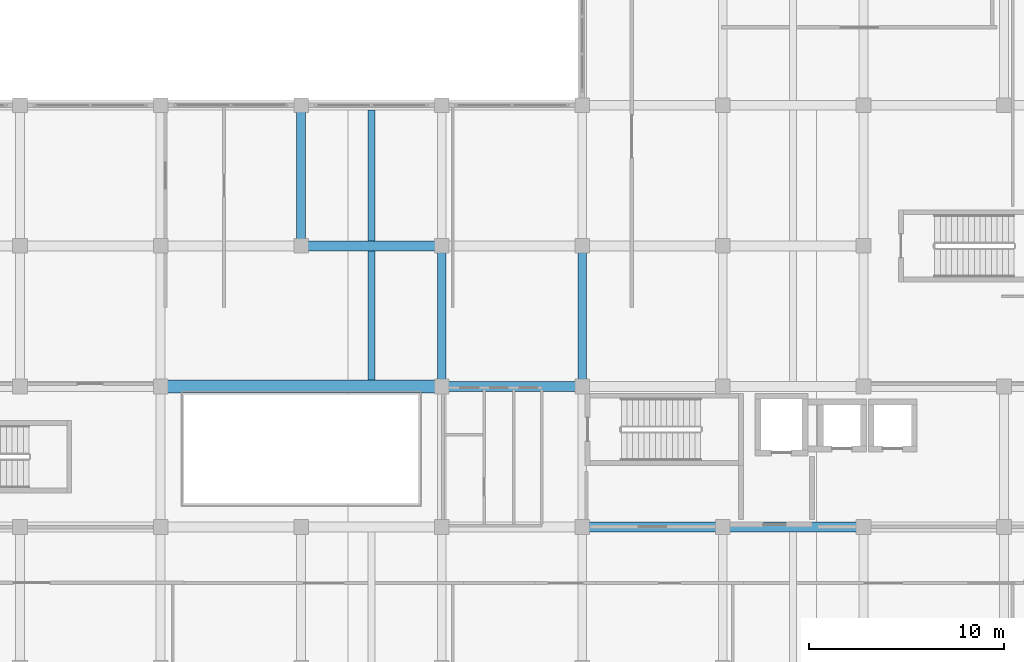
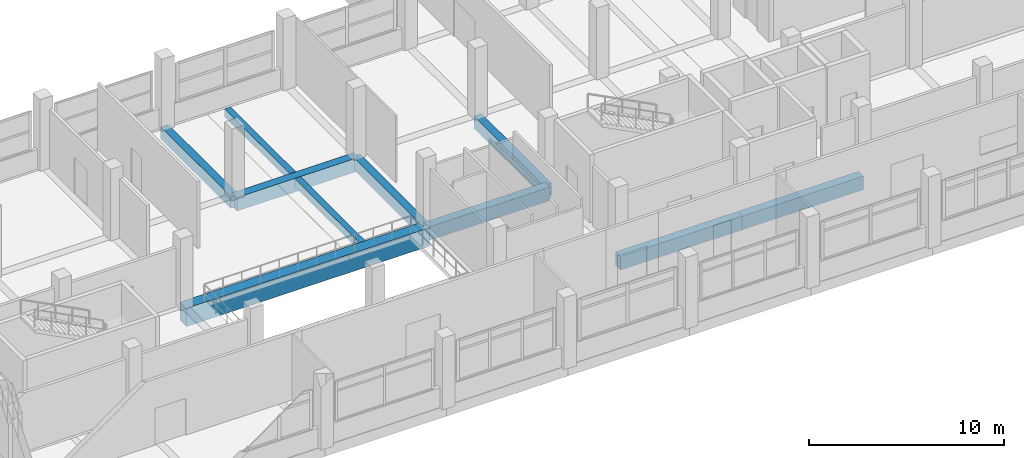
# One storey, part 30 of 141: 10 beams.
"""IFC4 building model written with IfcOpenShell, lengths in metres."""

from ifc_helpers import new_model, si_unit, direction, frame, origin, origin_2d, place, context, subcontext, project, spatial, rectangle, extrude, material, material_profile, profile_set, type_object, element, save


model = new_model("IFC4")

# Units and contexts
model_context = context("Model", 3, precision=1e-05, world=origin(), true_north=direction((0.0, 1.0)))
body_context = subcontext(model_context, "Body", "Model", "MODEL_VIEW")
ifc_project = project(units=[si_unit("LENGTHUNIT", "METRE"), si_unit("AREAUNIT", "SQUARE_METRE"), si_unit("VOLUMEUNIT", "CUBIC_METRE"), si_unit("PLANEANGLEUNIT", "RADIAN"), si_unit("MASSUNIT", "GRAM", prefix="KILO")], contexts=[model_context])

# Site, building, storey
site_placement = place(None, origin())
site = spatial("IfcSite", under=ifc_project, at=site_placement, CompositionType="ELEMENT")
building_placement = place(site_placement, origin())
building = spatial("IfcBuilding", under=site, at=building_placement, Name="Seraya Terrace Polytechnic", CompositionType="ELEMENT")
storey_placement = place(building_placement, frame((0.0, 0.0, 14.39990234375)))
storey = spatial("IfcBuildingStorey", under=building, at=storey_placement, Name="L03", CompositionType="ELEMENT", Elevation=14.39990234375)

# Beams
ifc_material = material(Name="Concrete C40/50", Category="concrete")
ifc_material_profile_1 = material_profile(ifc_material, rectangle(XDim=0.64990234375, YDim=1.14990234375, at=origin_2d()), Name="RC 650x1150")
ifc_profile_set_1 = profile_set([ifc_material_profile_1], Name="Concrete C40/50")
beam_type_1 = type_object("IfcBeamType", Name="BG-02", PredefinedType="USERDEFINED", material=ifc_profile_set_1)
beam_1_placement = place(storey_placement, frame((57.60009765625, 14.39990234375, -0.574951171875), z_axis=(1.0, 0.0, 0.0), x_axis=(0.0, 1.0, 0.0)))
element("IfcBeam", 1, at=beam_1_placement, inside=storey, type_object=beam_type_1, Name="Beam BG-02 L03 X (57.6..72.0, 14.4)", ObjectType="GIRDER", PredefinedType="USERDEFINED", context=body_context, shape_type="SweptSolid", body=[
    extrude(rectangle(XDim=0.64990234375, YDim=1.14990234375, at=origin_2d()), origin(), (0.0, 0.0, 1.0), 14.39990234375),
])
ifc_material_profile_2 = material_profile(ifc_material, rectangle(XDim=0.5, YDim=0.85009765625, at=origin_2d()), Name="RC 500x850")
ifc_profile_set_2 = profile_set([ifc_material_profile_2], Name="Concrete C40/50")
beam_type_2 = type_object("IfcBeamType", Name="BM-05", PredefinedType="BEAM", material=ifc_profile_set_2)
beam_2_placement = place(storey_placement, frame((79.199951171875, 7.199951171875, -0.4248046875), z_axis=(1.0, 0.0, 0.0), x_axis=(0.0, 1.0, 0.0)))
element("IfcBeam", 2, at=beam_2_placement, inside=storey, type_object=beam_type_2, Name="Beam BM-05 L03 X (79.2..86.4, 7.2)", PredefinedType="BEAM", context=body_context, shape_type="SweptSolid", body=[
    extrude(rectangle(XDim=0.5, YDim=0.85009765625, at=origin_2d()), origin(), (0.0, 0.0, 1.0), 7.199951171875),
])
beam_3_placement = place(storey_placement, frame((86.39990234375, 7.199951171875, -0.4248046875), z_axis=(1.0, 0.0, 0.0), x_axis=(0.0, 1.0, 0.0)))
element("IfcBeam", 3, at=beam_3_placement, inside=storey, type_object=beam_type_2, Name="Beam BM-05 L03 X (86.4..93.6, 7.2)", PredefinedType="BEAM", context=body_context, shape_type="SweptSolid", body=[
    extrude(rectangle(XDim=0.5, YDim=0.85009765625, at=origin_2d()), origin(), (0.0, 0.0, 1.0), 7.2001953125),
])
for number, where, z_axis, x_axis, name in (
    (4, (72.0, 14.39990234375, -0.4248046875), (1.0, 0.0, 0.0), (0.0, 1.0, 0.0), "Beam BM-05 L03 X (72.0..79.2, 14.4)"),
    (5, (64.800048828125, 21.60009765625, -0.4248046875), (1.0, 0.0, 0.0), (0.0, 1.0, 0.0), "Beam BM-05 L03 X (64.8..72.0, 21.6)"),
):
    element("IfcBeam", number, at=place(storey_placement, frame(where, z_axis=z_axis, x_axis=x_axis)), inside=storey, type_object=beam_type_2, Name=name, PredefinedType="BEAM", context=body_context, shape_type="SweptSolid", body=[
        extrude(rectangle(XDim=0.5, YDim=0.85009765625, at=origin_2d()), origin(), (0.0, 0.0, 1.0), 7.199951171875),
    ])
ifc_material_profile_3 = material_profile(ifc_material, rectangle(XDim=0.449951171875, YDim=0.75, at=origin_2d()), Name="RC 450x750")
ifc_profile_set_3 = profile_set([ifc_material_profile_3], Name="Concrete C40/50")
beam_type_3 = type_object("IfcBeamType", Name="BM-08", PredefinedType="BEAM", material=ifc_profile_set_3)
beam_4_placement = place(storey_placement, frame((64.800048828125, 21.60009765625, -0.375), z_axis=(0.0, 1.0, 0.0), x_axis=(-1.0, 0.0, 0.0)))
element("IfcBeam", 6, at=beam_4_placement, inside=storey, type_object=beam_type_3, Name="Beam BM-08 L03 Y (64.8, 21.6..28.8)", PredefinedType="BEAM", context=body_context, shape_type="SweptSolid", body=[
    extrude(rectangle(XDim=0.449951171875, YDim=0.75, at=origin_2d()), origin(), (0.0, 0.0, 1.0), 7.199951171875),
])
for number, where, z_axis, x_axis, name in (
    (7, (72.0, 14.39990234375, -0.375), (0.0, 1.0, 0.0), (-1.0, 0.0, 0.0), "Beam BM-08 L03 Y (72.0, 14.4..21.6)"),
    (8, (79.199951171875, 14.39990234375, -0.375), (0.0, 1.0, 0.0), (-1.0, 0.0, 0.0), "Beam BM-08 L03 Y (79.2, 14.4..21.6)"),
):
    element("IfcBeam", number, at=place(storey_placement, frame(where, z_axis=z_axis, x_axis=x_axis)), inside=storey, type_object=beam_type_3, Name=name, PredefinedType="BEAM", context=body_context, shape_type="SweptSolid", body=[
        extrude(rectangle(XDim=0.449951171875, YDim=0.75, at=origin_2d()), origin(), (0.0, 0.0, 1.0), 7.2001953125),
    ])
ifc_material_profile_4 = material_profile(ifc_material, rectangle(XDim=0.35009765625, YDim=0.5, at=origin_2d()), Name="RC 350x500")
ifc_profile_set_4 = profile_set([ifc_material_profile_4], Name="Concrete C40/50")
beam_type_4 = type_object("IfcBeamType", Name="JS-03", PredefinedType="JOIST", material=ifc_profile_set_4)
beam_5_placement = place(storey_placement, frame((68.39990234375, 14.72509765625, -0.25), z_axis=(0.0, 1.0, 0.0), x_axis=(-1.0, 0.0, 0.0)))
element("IfcBeam", 9, at=beam_5_placement, inside=storey, type_object=beam_type_4, Name="Secondary joist JS-03 L03", PredefinedType="JOIST", context=body_context, shape_type="SweptSolid", body=[
    extrude(rectangle(XDim=0.35009765625, YDim=0.5, at=origin_2d()), origin(), (0.0, 0.0, 1.0), 6.625),
])
beam_6_placement = place(storey_placement, frame((68.39990234375, 21.85009765625, -0.25), z_axis=(0.0, 1.0, 0.0), x_axis=(-1.0, 0.0, 0.0)))
element("IfcBeam", 10, at=beam_6_placement, inside=storey, type_object=beam_type_4, Name="Secondary joist JS-03 L03", PredefinedType="JOIST", context=body_context, shape_type="SweptSolid", body=[
    extrude(rectangle(XDim=0.35009765625, YDim=0.5, at=origin_2d()), origin(), (0.0, 0.0, 1.0), 6.699951171875),
])

save(model, "model.ifc")
